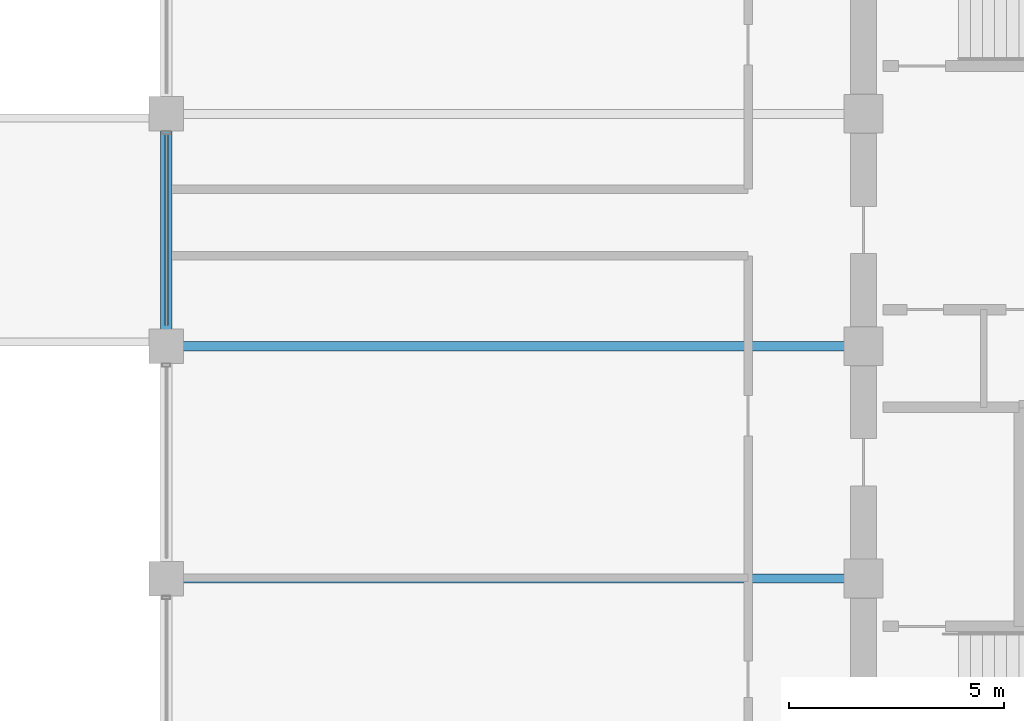
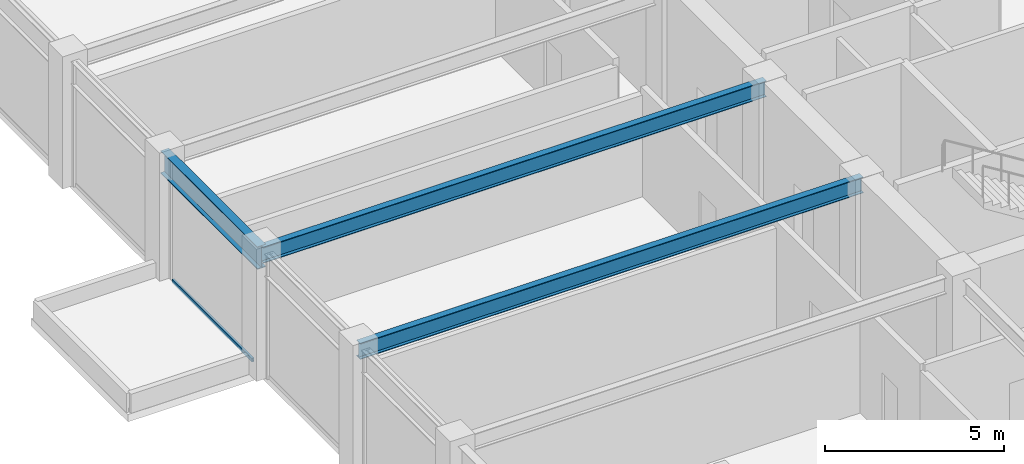
# One storey, part 7 of 28: 3 beams, 1 member, 1 element without a shape of its own.
"""IFC4 building model written with IfcOpenShell, lengths in metres."""

from ifc_helpers import new_model, si_unit, direction, frame, origin, origin_2d, place, context, subcontext, project, spatial, hollow_rectangle, i_section, extrude, material, layer, layer_set, material_profile, profile_set, type_object, element, aggregate, save


model = new_model("IFC4")

# Units and contexts
model_context = context("Model", 3, precision=1e-05, world=origin(), true_north=direction((0.0, 1.0)))
body_context = subcontext(model_context, "Body", "Model", "MODEL_VIEW")
ifc_project = project(units=[si_unit("LENGTHUNIT", "METRE"), si_unit("AREAUNIT", "SQUARE_METRE"), si_unit("VOLUMEUNIT", "CUBIC_METRE"), si_unit("PLANEANGLEUNIT", "RADIAN"), si_unit("MASSUNIT", "GRAM", prefix="KILO")], contexts=[model_context])

# Site, building, storey
site_placement = place(None, origin())
site = spatial("IfcSite", under=ifc_project, at=site_placement, CompositionType="ELEMENT")
building_placement = place(site_placement, origin())
building = spatial("IfcBuilding", under=site, at=building_placement, Name="Surkhivell Harbour Commons", CompositionType="ELEMENT")
storey_placement = place(building_placement, frame((0.0, 0.0, 249.75)))
storey = spatial("IfcBuildingStorey", under=building, at=storey_placement, Name="L65", CompositionType="ELEMENT", Elevation=249.75)

# Beams
ifc_material_1 = material(Name="Steel S355", Category="steel")
ifc_material_profile_1 = material_profile(ifc_material_1, i_section(OverallWidth=0.2119140625, OverallDepth=0.5439453125, WebThickness=0.0126953125, FlangeThickness=0.021240234375, at=origin_2d()), Name="UB533x210x122")
ifc_profile_set_1 = profile_set([ifc_material_profile_1], Name="Steel S355")
beam_type_1 = type_object("IfcBeamType", Name="BM-GRD-533A", PredefinedType="BEAM", material=ifc_profile_set_1)
for number, where, z_axis, x_axis, name in (
    (1, (-27.0, -5.39990234375, 3.97802734375), (1.0, 0.0, 0.0), (0.0, 1.0, 0.0), "L65 Floor Girder (-27.0,-5.4)"),
    (2, (-27.0, 0.0, 3.97802734375), (1.0, 0.0, 0.0), (0.0, 1.0, 0.0), "L65 Floor Girder (-27.0,0.0)"),
):
    element("IfcBeam", number, at=place(storey_placement, frame(where, z_axis=z_axis, x_axis=x_axis)), inside=storey, type_object=beam_type_1, Name=name, PredefinedType="BEAM", context=body_context, shape_type="SweptSolid", body=[
        extrude(i_section(OverallWidth=0.2119140625, OverallDepth=0.5439453125, WebThickness=0.0126953125, FlangeThickness=0.021240234375, at=origin_2d()), origin(), (0.0, 0.0, 1.0), 16.199951171875),
    ])
ifc_material_profile_2 = material_profile(ifc_material_1, i_section(OverallWidth=0.26806640625, OverallDepth=0.77001953125, WebThickness=0.015625, FlangeThickness=0.025390625, at=origin_2d()), Name="UB762x267x197")
ifc_profile_set_2 = profile_set([ifc_material_profile_2], Name="Steel S355")
beam_type_2 = type_object("IfcBeamType", Name="BM-SPN-762", PredefinedType="SPANDREL", material=ifc_profile_set_2)
beam_placement = place(storey_placement, frame((-27.0, 0.0, 3.864990234375), z_axis=(0.0, 1.0, 0.0), x_axis=(-1.0, 0.0, 0.0)))
element("IfcBeam", 3, at=beam_placement, inside=storey, type_object=beam_type_2, Name="L65 Tube Spandrel (-27.0,0.0)", PredefinedType="SPANDREL", context=body_context, shape_type="SweptSolid", body=[
    extrude(i_section(OverallWidth=0.26806640625, OverallDepth=0.77001953125, WebThickness=0.015625, FlangeThickness=0.025390625, at=origin_2d()), origin(), (0.0, 0.0, 1.0), 5.39990234375),
])

# Curtain wall, member
ifc_material_2 = material(Name="Anodised pale-metal aluminium and insulated glazing", Category="aluminium")
ifc_layer = layer(ifc_material_2, 0.18994140625)
ifc_layer_set = layer_set([ifc_layer], Name="Anodised pale-metal aluminium and insulated glazing")
curtain_wall_type = type_object("IfcCurtainWallType", Name="CW-SYS-Z3", PredefinedType="NOTDEFINED", material=ifc_layer_set)
curtain_wall_placement = place(storey_placement, origin())
curtain_wall = element("IfcCurtainWall", 4, at=curtain_wall_placement, inside=storey, type_object=curtain_wall_type, Name="L65 Curtain Wall CW-L65-E12S1", PredefinedType="NOTDEFINED")
ifc_material_3 = material(Name="Champagne anodised aluminium alloy 6063-T6", Category="aluminium")
ifc_material_profile_3 = material_profile(ifc_material_3, hollow_rectangle(XDim=0.070068359375, YDim=0.1298828125, WallThickness=0.00341796875, at=origin_2d()), Name="ALU-TRAN-70x130")
ifc_profile_set_3 = profile_set([ifc_material_profile_3], Name="Champagne anodised aluminium alloy 6063-T6")
member_type = type_object("IfcMemberType", Name="CWT-130", PredefinedType="USERDEFINED", material=ifc_profile_set_3)
member_placement = place(storey_placement, frame((-27.0, 4.923095703125, 0.06494140625), z_axis=(0.0, -1.0, 0.0), x_axis=(1.0, 0.0, 0.0)))
member = element("IfcMember", 5, at=member_placement, type_object=member_type, Name="CW-Z3 transom 4.1", ObjectType="TRANSOM", PredefinedType="USERDEFINED", context=body_context, shape_type="SweptSolid", body=[
    extrude(hollow_rectangle(XDim=0.070068359375, YDim=0.1298828125, WallThickness=0.00341796875, at=origin_2d()), origin(), (0.0, 0.0, 1.0), 4.446044921875),
])
aggregate(curtain_wall, [member])

save(model, "model.ifc")
